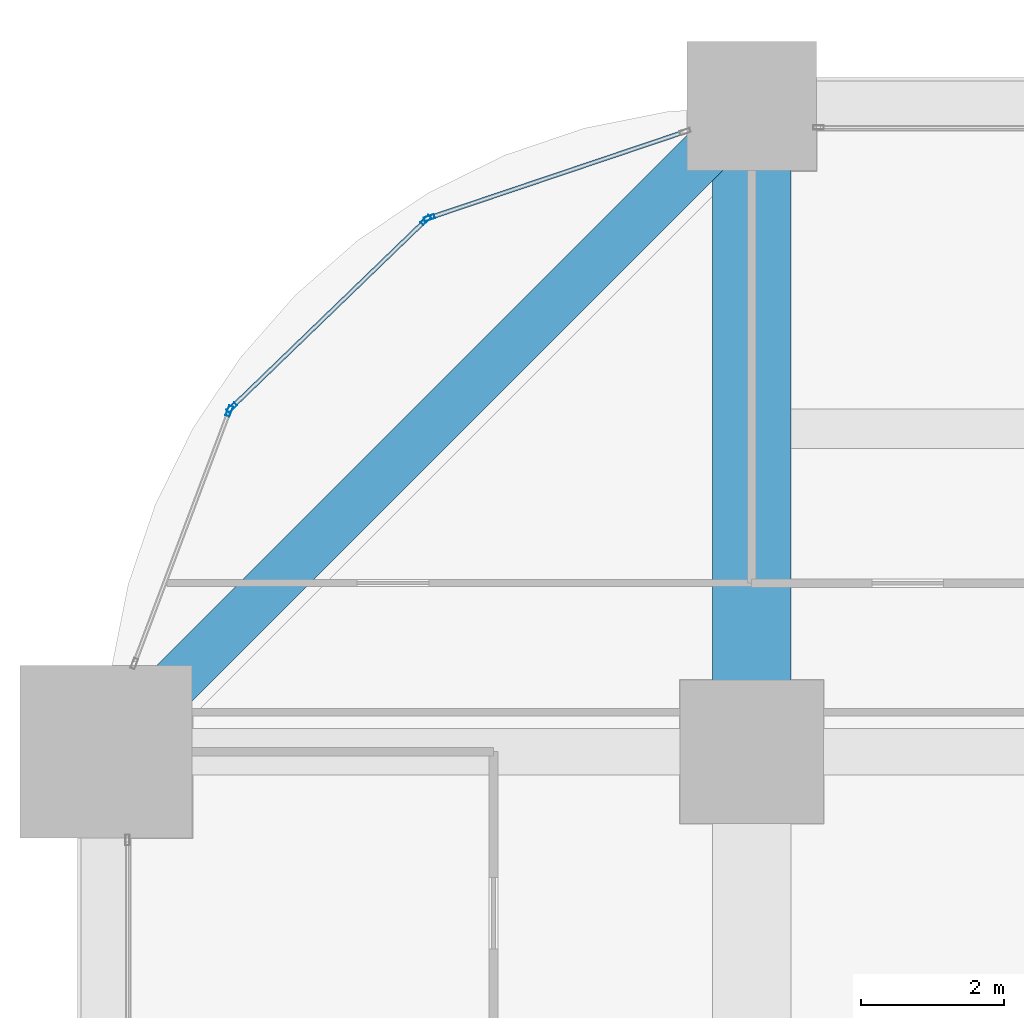
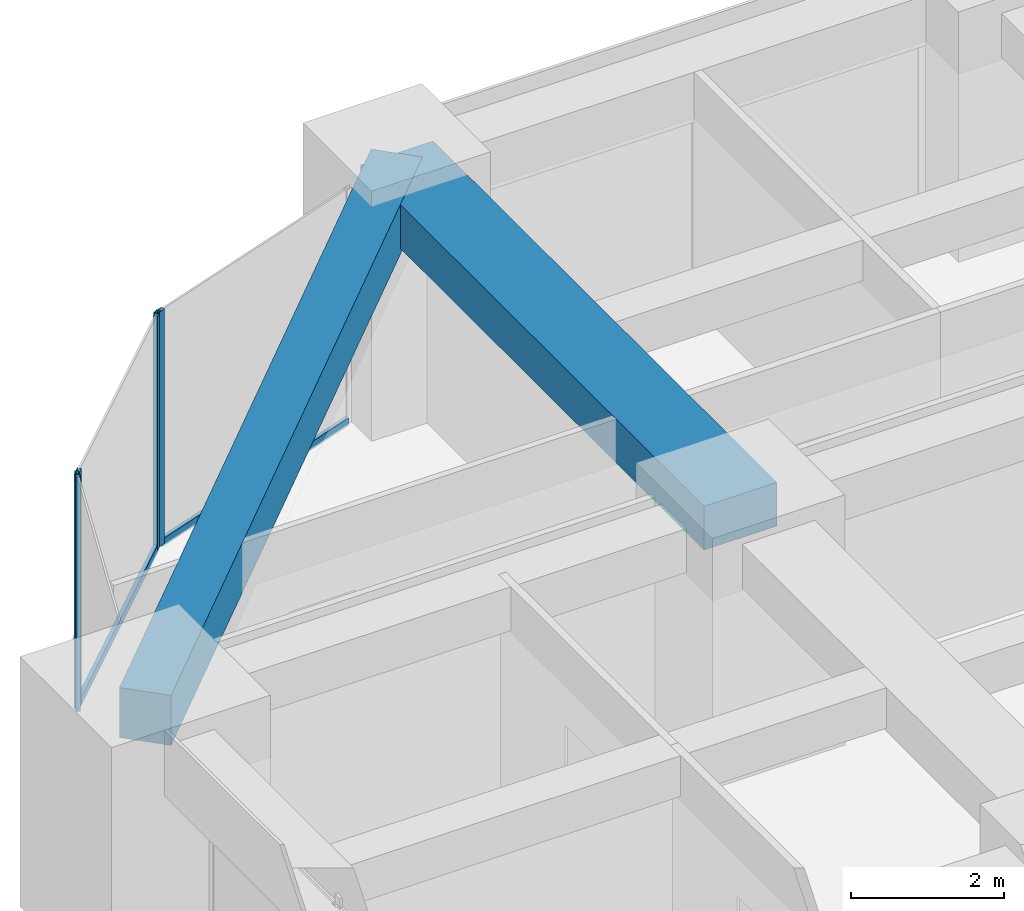
# One storey, part 26 of 41: 6 members, 2 beams, 3 elements without a shape of their own.
"""IFC4 building model written with IfcOpenShell, lengths in metres."""

from ifc_helpers import new_model, si_unit, direction, frame, origin, origin_2d, place, context, subcontext, project, spatial, rectangle, hollow_rectangle, extrude, material, material_profile, profile_set, type_object, element, aggregate, save


model = new_model("IFC4")

# Units and contexts
model_context = context("Model", 3, precision=1e-05, world=origin(), true_north=direction((0.0, 1.0)))
body_context = subcontext(model_context, "Body", "Model", "MODEL_VIEW")
ifc_project = project(units=[si_unit("LENGTHUNIT", "METRE"), si_unit("AREAUNIT", "SQUARE_METRE"), si_unit("VOLUMEUNIT", "CUBIC_METRE"), si_unit("PLANEANGLEUNIT", "RADIAN"), si_unit("MASSUNIT", "GRAM", prefix="KILO")], contexts=[model_context])

# Site, building, storey
site_placement = place(None, origin())
site = spatial("IfcSite", under=ifc_project, at=site_placement, CompositionType="ELEMENT")
building_placement = place(site_placement, origin())
building = spatial("IfcBuilding", under=site, at=building_placement, Name="Zorevar Civic Tower", CompositionType="ELEMENT")
storey_placement = place(building_placement, frame((0.0, 0.0, 113.0)))
storey = spatial("IfcBuildingStorey", under=building, at=storey_placement, Name="L27", CompositionType="ELEMENT", Elevation=113.0)

# Beam
ifc_material_1 = material(Name="Concrete C50/60", Category="concrete")
ifc_material_profile_1 = material_profile(ifc_material_1, rectangle(XDim=1.10009765625, YDim=0.699951171875, at=origin_2d()), Name="RC 1100x700")
ifc_profile_set_1 = profile_set([ifc_material_profile_1], Name="Concrete C50/60")
beam_type_1 = type_object("IfcBeamType", Name="Beam RC 1100x700", PredefinedType="BEAM", material=ifc_profile_set_1)
beam_1_placement = place(storey_placement, frame((9.0, 36.0, 3.39990234375), z_axis=(0.0, 1.0, 0.0), x_axis=(-1.0, 0.0, 0.0)))
element("IfcBeam", 1, at=beam_1_placement, inside=storey, type_object=beam_type_1, Name="Girder L28", PredefinedType="BEAM", context=body_context, shape_type="SweptSolid", body=[
    extrude(rectangle(XDim=1.10009765625, YDim=0.699951171875, at=origin_2d()), origin(), (0.0, 0.0, 1.0), 9.0),
])

# Curtain wall, member
ifc_material_2 = material(Name="Dark grey solar-control glass in black aluminium frame", Category="aluminium")
curtain_wall_type = type_object("IfcCurtainWallType", Name="Curtain wall CW3 mid zone", PredefinedType="NOTDEFINED", material=ifc_material_2)
curtain_wall_1_placement = place(storey_placement, origin())
curtain_wall_1 = element("IfcCurtainWall", 2, at=curtain_wall_1_placement, inside=storey, type_object=curtain_wall_type, Name="CW3 L27", PredefinedType="NOTDEFINED")
ifc_material_3 = material(Name="Aluminium, black anodised", Category="aluminium")
ifc_material_profile_2 = material_profile(ifc_material_3, hollow_rectangle(XDim=0.06005859375, YDim=0.14990234375, WallThickness=0.00390625, at=origin_2d()), Name="AL 150x60x4")
ifc_profile_set_2 = profile_set([ifc_material_profile_2], Name="Aluminium, black anodised")
member_type_1 = type_object("IfcMemberType", Name="CW3 mullion AL 150x60x4", PredefinedType="MULLION", material=ifc_profile_set_2)
member_1_placement = place(storey_placement, frame((4.506591796875, 43.442138671875, 0.0), z_axis=(0.0, 0.0, 1.0), x_axis=(0.319412525043, -0.947615765406, 0.0)))
member_1 = element("IfcMember", 3, at=member_1_placement, type_object=member_type_1, Name="CW3 mullion 2", PredefinedType="MULLION", context=body_context, shape_type="SweptSolid", body=[
    extrude(hollow_rectangle(XDim=0.06005859375, YDim=0.14990234375, WallThickness=0.00390625, at=origin_2d()), origin(), (0.0, 0.0, 1.0), 3.75),
])

# Curtain wall, members
curtain_wall_2_placement = place(storey_placement, origin())
curtain_wall_2 = element("IfcCurtainWall", 4, at=curtain_wall_2_placement, inside=storey, type_object=curtain_wall_type, Name="CW3 L27", PredefinedType="NOTDEFINED")
member_2_placement = place(storey_placement, frame((4.45654296875, 43.41162109375, 0.0), z_axis=(0.0, 0.0, 1.0), x_axis=(0.694719089155, -0.719281160023, 0.0)))
member_2 = element("IfcMember", 5, at=member_2_placement, type_object=member_type_1, Name="CW3 mullion 1", PredefinedType="MULLION", context=body_context, shape_type="SweptSolid", body=[
    extrude(hollow_rectangle(XDim=0.06005859375, YDim=0.14990234375, WallThickness=0.00390625, at=origin_2d()), origin(), (0.0, 0.0, 1.0), 3.75),
])
member_3_placement = place(storey_placement, frame((1.750732421875, 40.798095703125, 0.0), z_axis=(0.0, 0.0, 1.0), x_axis=(0.694719089155, -0.719281160023, 0.0)))
member_3 = element("IfcMember", 6, at=member_3_placement, type_object=member_type_1, Name="CW3 mullion 2", PredefinedType="MULLION", context=body_context, shape_type="SweptSolid", body=[
    extrude(hollow_rectangle(XDim=0.06005859375, YDim=0.14990234375, WallThickness=0.00390625, at=origin_2d()), origin(), (0.0, 0.0, 1.0), 3.75),
])

# Curtain wall, member
curtain_wall_3_placement = place(storey_placement, origin())
curtain_wall_3 = element("IfcCurtainWall", 7, at=curtain_wall_3_placement, inside=storey, type_object=curtain_wall_type, Name="CW3 L27", PredefinedType="NOTDEFINED")
member_4_placement = place(storey_placement, frame((1.718505859375, 40.749267578125, 0.0), z_axis=(0.0, 0.0, 1.0), x_axis=(0.935950528564, -0.352131520999, 0.0)))
member_4 = element("IfcMember", 8, at=member_4_placement, type_object=member_type_1, Name="CW3 mullion 1", PredefinedType="MULLION", context=body_context, shape_type="SweptSolid", body=[
    extrude(hollow_rectangle(XDim=0.06005859375, YDim=0.14990234375, WallThickness=0.00390625, at=origin_2d()), origin(), (0.0, 0.0, 1.0), 3.75),
])
aggregate(curtain_wall_3, [member_4])

# Member
ifc_material_4 = material(Name="Aluminium, black anodised", Category="aluminium")
ifc_material_profile_3 = material_profile(ifc_material_4, hollow_rectangle(XDim=0.06005859375, YDim=0.1201171875, WallThickness=0.0029296875, at=origin_2d()), Name="AL 120x60x3")
ifc_profile_set_3 = profile_set([ifc_material_profile_3], Name="Aluminium, black anodised")
member_type_2 = type_object("IfcMemberType", Name="CW3 transom AL 120x60x3", PredefinedType="USERDEFINED", material=ifc_profile_set_3)
member_5_placement = place(storey_placement, frame((8.043212890625, 44.634033203125, 0.030029296875), z_axis=(-0.9476295577, -0.319371603893, 0.0), x_axis=(0.319371603893, -0.9476295577, 0.0)))
member_5 = element("IfcMember", 9, at=member_5_placement, type_object=member_type_2, Name="CW3 sill transom", ObjectType="TRANSOM", PredefinedType="USERDEFINED", context=body_context, shape_type="SweptSolid", body=[
    extrude(hollow_rectangle(XDim=0.06005859375, YDim=0.1201171875, WallThickness=0.0029296875, at=origin_2d()), origin(), (0.0, 0.0, 1.0), 3.7021484375),
])

aggregate(curtain_wall_1, [member_1, member_5])

member_6_placement = place(storey_placement, frame((4.43505859375, 43.390869140625, 0.030029296875), z_axis=(-0.719266228526, -0.694734548228, 0.0), x_axis=(0.694734548228, -0.719266228526, 0.0)))
member_6 = element("IfcMember", 10, at=member_6_placement, type_object=member_type_2, Name="CW3 sill transom", ObjectType="TRANSOM", PredefinedType="USERDEFINED", context=body_context, shape_type="SweptSolid", body=[
    extrude(hollow_rectangle(XDim=0.06005859375, YDim=0.1201171875, WallThickness=0.0029296875, at=origin_2d()), origin(), (0.0, 0.0, 1.0), 3.7021484375),
])

aggregate(curtain_wall_2, [member_2, member_3, member_6])

# Beam
ifc_material_5 = material(Name="Concrete C50/60", Category="concrete")
ifc_material_profile_4 = material_profile(ifc_material_5, rectangle(XDim=0.699951171875, YDim=0.800048828125, at=origin_2d()), Name="RC 700x800")
ifc_profile_set_4 = profile_set([ifc_material_profile_4], Name="Concrete C50/60")
beam_type_2 = type_object("IfcBeamType", Name="Edge beam RC 700x800", PredefinedType="SPANDREL", material=ifc_profile_set_4)
beam_2_placement = place(storey_placement, frame((9.0, 45.0, 3.35009765625), z_axis=(-0.707106781187, -0.707106781187, 0.0), x_axis=(0.707106781187, -0.707106781187, 0.0)))
element("IfcBeam", 11, at=beam_2_placement, inside=storey, type_object=beam_type_2, Name="Corner edge beam L28", PredefinedType="SPANDREL", context=body_context, shape_type="SweptSolid", body=[
    extrude(rectangle(XDim=0.699951171875, YDim=0.800048828125, at=origin_2d()), origin(), (0.0, 0.0, 1.0), 12.72802734375),
])

save(model, "model.ifc")
